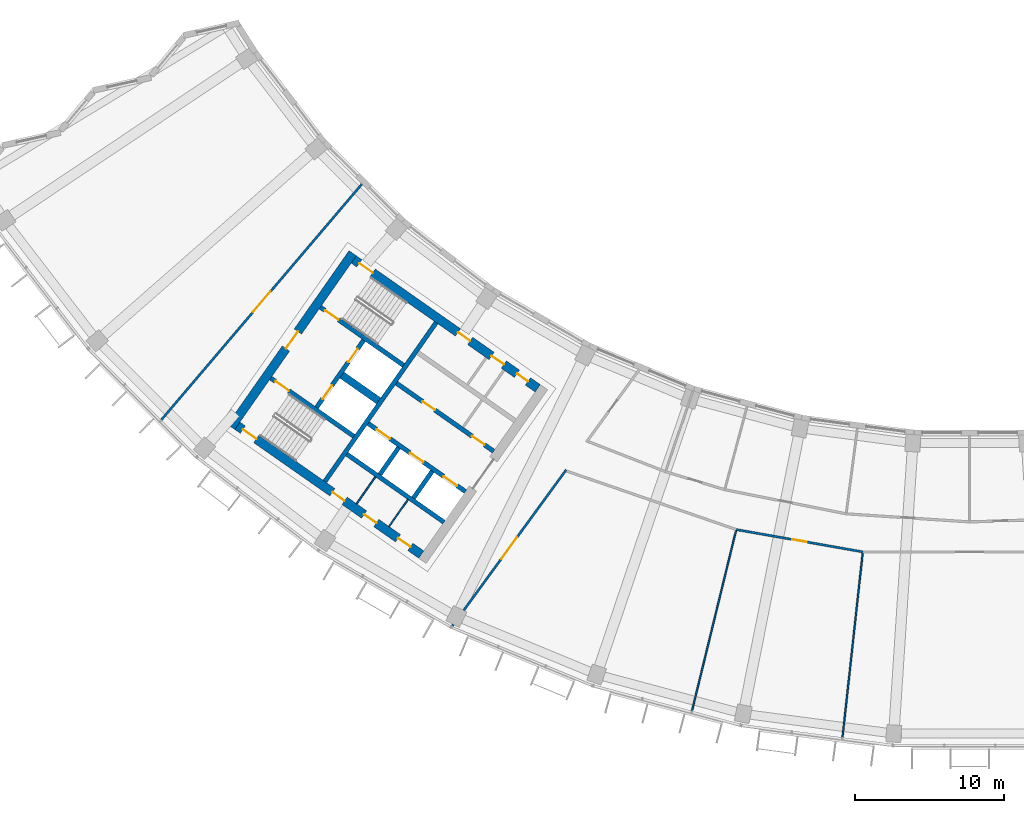
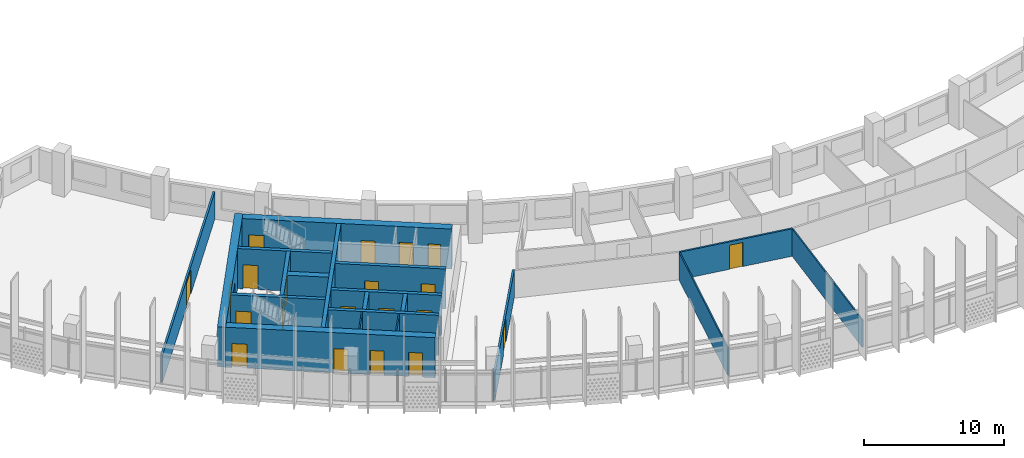
# One storey, part 3 of 28: 21 doors, 20 walls, 21 openings.
"""IFC4 building model written with IfcOpenShell, lengths in metres."""

from ifc_helpers import new_model, si_unit, direction, frame, frame_2d, origin, place, context, subcontext, project, spatial, rectangle, extrude, material, layer, layer_set, type_object, element, fill, save


model = new_model("IFC4")

# Units and contexts
model_context = context("Model", 3, precision=1e-05, world=origin(), true_north=direction((0.0, 1.0)))
body_context = subcontext(model_context, "Body", "Model", "MODEL_VIEW")
ifc_project = project(units=[si_unit("LENGTHUNIT", "METRE"), si_unit("AREAUNIT", "SQUARE_METRE"), si_unit("VOLUMEUNIT", "CUBIC_METRE"), si_unit("PLANEANGLEUNIT", "RADIAN"), si_unit("MASSUNIT", "GRAM", prefix="KILO")], contexts=[model_context])

# Site, building, storey
site_placement = place(None, origin())
site = spatial("IfcSite", under=ifc_project, at=site_placement, CompositionType="ELEMENT")
building_placement = place(site_placement, origin())
building = spatial("IfcBuilding", under=site, at=building_placement, Name="Qamariyya Broadcast Tower", CompositionType="ELEMENT")
storey_placement = place(building_placement, frame((0.0, 0.0, 241.699951171875)))
storey = spatial("IfcBuildingStorey", under=building, at=storey_placement, Name="L58", CompositionType="ELEMENT", Elevation=241.699951171875)

# Wall, opening, door
ifc_material_1 = material(Name="Concrete C60/75", Category="concrete")
ifc_layer_1 = layer(ifc_material_1, 0.60009765625)
ifc_layer_set_1 = layer_set([ifc_layer_1], Name="Core wall 600 mm Concrete C60/75")
wall_type_1 = type_object("IfcWallType", Name="Core wall 600 mm Concrete C60/75", PredefinedType="SHEAR", material=ifc_layer_set_1)
wall_1_placement = place(storey_placement, frame((-49.4833984375, -57.031494140625, 0.0), z_axis=(0.0, 0.0, 1.0), x_axis=(0.573560421458, 0.819163257805, 0.0)))
wall_1 = element("IfcWall", 1, at=wall_1_placement, inside=storey, type_object=wall_type_1, Name="k-W-L58-WH", PredefinedType="SHEAR", context=body_context, shape_type="SweptSolid", body=[
    extrude(rectangle(XDim=14.199951171875, YDim=0.60009765625, at=frame_2d((7.10009765625, 0.0))), origin(), (0.0, 0.0, 1.0), 3.5),
])
opening_1_placement = place(wall_1_placement, frame((6.39990234375, 0.0, 0.0)))
opening_1 = element("IfcOpeningElement", 2, at=opening_1_placement, cuts=wall_1, Name="Opening KD2-W1", PredefinedType="OPENING", context=body_context, shape_type="SweptSolid", body=[
    extrude(rectangle(XDim=1.39990234375, YDim=2.10009765625, at=frame_2d((0.699951171875, 1.050048828125))), frame((0.0, 0.31005859375, 0.0), z_axis=(0.0, -1.0, 0.0), x_axis=(1.0, 0.0, 0.0)), (0.0, 0.0, 1.0), 0.6201171875),
])
ifc_material_2 = material(Name="Steel fire-resisting door leaf", Category="steel")
door_type_1 = type_object("IfcDoorType", Name="Fire-fighting lobby door KD2", OperationType="DOUBLE_DOOR_SINGLE_SWING", PredefinedType="DOOR", material=ifc_material_2)
door_1_placement = place(opening_1_placement, origin())
door_1 = element("IfcDoor", 3, at=door_1_placement, inside=storey, type_object=door_type_1, Name="k-W-L58-WH-D15", OperationType="DOUBLE_DOOR_SINGLE_SWING", OverallHeight=2.10009765625, OverallWidth=1.39990234375, PredefinedType="DOOR", context=body_context, shape_type="SweptSolid", body=[
    extrude(rectangle(XDim=1.39990234375, YDim=2.10009765625, at=frame_2d((0.699951171875, 1.050048828125))), frame((0.0, 0.02490234375, 0.0), z_axis=(0.0, -1.0, 0.0), x_axis=(1.0, 0.0, 0.0)), (0.0, 0.0, 1.0), 0.050048828125),
])
fill(opening_1, door_1)

# Wall, openings, doors
wall_2_placement = place(storey_placement, frame((-28.940673828125, -54.447021484375, 0.0), z_axis=(0.0, 0.0, 1.0), x_axis=(-0.819153391756, 0.573574511963, 0.0)))
wall_2 = element("IfcWall", 4, at=wall_2_placement, inside=storey, type_object=wall_type_1, Name="k-W-L58-WI", PredefinedType="SHEAR", context=body_context, shape_type="SweptSolid", body=[
    extrude(rectangle(XDim=15.04541015625, YDim=0.60009765625, at=frame_2d((7.522705078125, 0.0))), origin(), (0.0, 0.0, 1.0), 3.5),
])
opening_2_placement = place(wall_2_placement, frame((0.800048828125, 0.0, 0.0)))
opening_2 = element("IfcOpeningElement", 5, at=opening_2_placement, cuts=wall_2, Name="Opening KD5-W1", PredefinedType="OPENING", context=body_context, shape_type="SweptSolid", body=[
    extrude(rectangle(XDim=0.89990234375, YDim=2.10009765625, at=frame_2d((0.449951171875, 1.050048828125))), frame((0.0, 0.31005859375, 0.0), z_axis=(0.0, -1.0, 0.0), x_axis=(1.0, 0.0, 0.0)), (0.0, 0.0, 1.0), 0.6201171875),
])
opening_3_placement = place(wall_2_placement, frame((2.77490234375, 0.0, 0.0)))
opening_3 = element("IfcOpeningElement", 6, at=opening_3_placement, cuts=wall_2, Name="Opening KD7-W1", PredefinedType="OPENING", context=body_context, shape_type="SweptSolid", body=[
    extrude(rectangle(XDim=1.0, YDim=2.10009765625, at=frame_2d((0.5, 1.050048828125))), frame((0.0, 0.31005859375, 0.0), z_axis=(0.0, -1.0, 0.0), x_axis=(1.0, 0.0, 0.0)), (0.0, 0.0, 1.0), 0.6201171875),
])
opening_4_placement = place(wall_2_placement, frame((5.52490234375, 0.0, 0.0)))
opening_4 = element("IfcOpeningElement", 7, at=opening_4_placement, cuts=wall_2, Name="Opening KD6-W3", PredefinedType="OPENING", context=body_context, shape_type="SweptSolid", body=[
    extrude(rectangle(XDim=1.0, YDim=2.10009765625, at=frame_2d((0.5, 1.050048828125))), frame((0.0, 0.31005859375, 0.0), z_axis=(0.0, -1.0, 0.0), x_axis=(1.0, 0.0, 0.0)), (0.0, 0.0, 1.0), 0.6201171875),
])
opening_5_placement = place(wall_2_placement, frame((13.495361328125, 0.0, 0.0)))
opening_5 = element("IfcOpeningElement", 8, at=opening_5_placement, cuts=wall_2, Name="Opening KD1-W1", PredefinedType="OPENING", context=body_context, shape_type="SweptSolid", body=[
    extrude(rectangle(XDim=1.10009765625, YDim=2.10009765625, at=frame_2d((0.550048828125, 1.050048828125))), frame((0.0, 0.31005859375, 0.0), z_axis=(0.0, -1.0, 0.0), x_axis=(1.0, 0.0, 0.0)), (0.0, 0.0, 1.0), 0.6201171875),
])
door_type_2 = type_object("IfcDoorType", Name="Accessible toilet door KD7", OperationType="SINGLE_SWING_LEFT", PredefinedType="DOOR", material=ifc_material_2)
door_2_placement = place(opening_3_placement, origin())
door_2 = element("IfcDoor", 9, at=door_2_placement, inside=storey, type_object=door_type_2, Name="k-W-L58-WI-D8", OperationType="SINGLE_SWING_LEFT", OverallHeight=2.10009765625, OverallWidth=1.0, PredefinedType="DOOR", context=body_context, shape_type="SweptSolid", body=[
    extrude(rectangle(XDim=1.0, YDim=2.10009765625, at=frame_2d((0.5, 1.050048828125))), frame((0.0, 0.02490234375, 0.0), z_axis=(0.0, -1.0, 0.0), x_axis=(1.0, 0.0, 0.0)), (0.0, 0.0, 1.0), 0.050048828125),
])
fill(opening_3, door_2)
door_type_3 = type_object("IfcDoorType", Name="Core room door KD6", OperationType="SINGLE_SWING_LEFT", PredefinedType="DOOR", material=ifc_material_2)
door_3_placement = place(opening_4_placement, origin())
door_3 = element("IfcDoor", 10, at=door_3_placement, inside=storey, type_object=door_type_3, Name="k-W-L58-WI-D9", OperationType="SINGLE_SWING_RIGHT", OverallHeight=2.10009765625, OverallWidth=1.0, PredefinedType="DOOR", context=body_context, shape_type="SweptSolid", body=[
    extrude(rectangle(XDim=1.0, YDim=2.10009765625, at=frame_2d((0.5, 1.050048828125))), frame((0.0, 0.02490234375, 0.0), z_axis=(0.0, -1.0, 0.0), x_axis=(1.0, 0.0, 0.0)), (0.0, 0.0, 1.0), 0.050048828125),
])
fill(opening_4, door_3)
door_type_4 = type_object("IfcDoorType", Name="Stair door KD1", OperationType="SINGLE_SWING_LEFT", PredefinedType="DOOR", material=ifc_material_2)
door_4_placement = place(opening_5_placement, origin())
door_4 = element("IfcDoor", 11, at=door_4_placement, inside=storey, type_object=door_type_4, Name="k-W-L58-WI-D16", OperationType="SINGLE_SWING_RIGHT", OverallHeight=2.10009765625, OverallWidth=1.10009765625, PredefinedType="DOOR", context=body_context, shape_type="SweptSolid", body=[
    extrude(rectangle(XDim=1.10009765625, YDim=2.10009765625, at=frame_2d((0.550048828125, 1.050048828125))), frame((0.0, 0.02490234375, 0.0), z_axis=(0.0, -1.0, 0.0), x_axis=(1.0, 0.0, 0.0)), (0.0, 0.0, 1.0), 0.050048828125),
])
fill(opening_5, door_4)
door_type_5 = type_object("IfcDoorType", Name="Toilet door KD5", OperationType="SINGLE_SWING_LEFT", PredefinedType="DOOR", material=ifc_material_2)
door_5_placement = place(opening_2_placement, origin())
door_5 = element("IfcDoor", 12, at=door_5_placement, inside=storey, type_object=door_type_5, Name="k-W-L58-WI-D7", OperationType="SINGLE_SWING_RIGHT", OverallHeight=2.10009765625, OverallWidth=0.89990234375, PredefinedType="DOOR", context=body_context, shape_type="SweptSolid", body=[
    extrude(rectangle(XDim=0.89990234375, YDim=2.10009765625, at=frame_2d((0.449951171875, 1.050048828125))), frame((0.0, 0.02490234375, 0.0), z_axis=(0.0, -1.0, 0.0), x_axis=(1.0, 0.0, 0.0)), (0.0, 0.0, 1.0), 0.050048828125),
])
fill(opening_2, door_5)

wall_3_placement = place(storey_placement, frame((-36.7412109375, -65.58740234375, 0.0), z_axis=(0.0, 0.0, 1.0), x_axis=(-0.819153391756, 0.573574511963, 0.0)))
wall_3 = element("IfcWall", 13, at=wall_3_placement, inside=storey, type_object=wall_type_1, Name="k-W-L58-WO", PredefinedType="SHEAR", context=body_context, shape_type="SweptSolid", body=[
    extrude(rectangle(XDim=15.04541015625, YDim=0.60009765625, at=frame_2d((7.522705078125, 0.0))), origin(), (0.0, 0.0, 1.0), 3.5),
])
opening_6_placement = place(wall_3_placement, frame((0.89990234375, 0.0, 0.0)))
opening_6 = element("IfcOpeningElement", 14, at=opening_6_placement, cuts=wall_3, Name="Opening KD4-W1", PredefinedType="OPENING", context=body_context, shape_type="SweptSolid", body=[
    extrude(rectangle(XDim=1.0, YDim=2.10009765625, at=frame_2d((0.5, 1.050048828125))), frame((0.0, 0.31005859375, 0.0), z_axis=(0.0, -1.0, 0.0), x_axis=(1.0, 0.0, 0.0)), (0.0, 0.0, 1.0), 0.6201171875),
])
opening_7_placement = place(wall_3_placement, frame((3.675048828125, 0.0, 0.0)))
opening_7 = element("IfcOpeningElement", 15, at=opening_7_placement, cuts=wall_3, Name="Opening KD4-W2", PredefinedType="OPENING", context=body_context, shape_type="SweptSolid", body=[
    extrude(rectangle(XDim=1.0, YDim=2.10009765625, at=frame_2d((0.5, 1.050048828125))), frame((0.0, 0.31005859375, 0.0), z_axis=(0.0, -1.0, 0.0), x_axis=(1.0, 0.0, 0.0)), (0.0, 0.0, 1.0), 0.6201171875),
])
opening_8_placement = place(wall_3_placement, frame((6.27490234375, 0.0, 0.0)))
opening_8 = element("IfcOpeningElement", 16, at=opening_8_placement, cuts=wall_3, Name="Opening KD4-W3", PredefinedType="OPENING", context=body_context, shape_type="SweptSolid", body=[
    extrude(rectangle(XDim=1.0, YDim=2.10009765625, at=frame_2d((0.5, 1.050048828125))), frame((0.0, 0.31005859375, 0.0), z_axis=(0.0, -1.0, 0.0), x_axis=(1.0, 0.0, 0.0)), (0.0, 0.0, 1.0), 0.6201171875),
])
opening_9_placement = place(wall_3_placement, frame((13.495361328125, 0.0, 0.0)))
opening_9 = element("IfcOpeningElement", 17, at=opening_9_placement, cuts=wall_3, Name="Opening KD1-W3", PredefinedType="OPENING", context=body_context, shape_type="SweptSolid", body=[
    extrude(rectangle(XDim=1.10009765625, YDim=2.10009765625, at=frame_2d((0.550048828125, 1.050048828125))), frame((0.0, 0.31005859375, 0.0), z_axis=(0.0, -1.0, 0.0), x_axis=(1.0, 0.0, 0.0)), (0.0, 0.0, 1.0), 0.6201171875),
])
door_type_6 = type_object("IfcDoorType", Name="Riser and plant door KD4", OperationType="SINGLE_SWING_LEFT", PredefinedType="DOOR", material=ifc_material_2)
door_6_placement = place(opening_6_placement, origin())
door_6 = element("IfcDoor", 18, at=door_6_placement, inside=storey, type_object=door_type_6, Name="k-W-L58-WO-D10", OperationType="SINGLE_SWING_LEFT", OverallHeight=2.10009765625, OverallWidth=1.0, PredefinedType="DOOR", context=body_context, shape_type="SweptSolid", body=[
    extrude(rectangle(XDim=1.0, YDim=2.10009765625, at=frame_2d((0.5, 1.050048828125))), frame((0.0, 0.02490234375, 0.0), z_axis=(0.0, -1.0, 0.0), x_axis=(1.0, 0.0, 0.0)), (0.0, 0.0, 1.0), 0.050048828125),
])
fill(opening_6, door_6)
door_7_placement = place(opening_7_placement, origin())
door_7 = element("IfcDoor", 19, at=door_7_placement, inside=storey, type_object=door_type_6, Name="k-W-L58-WO-D11", OperationType="SINGLE_SWING_RIGHT", OverallHeight=2.10009765625, OverallWidth=1.0, PredefinedType="DOOR", context=body_context, shape_type="SweptSolid", body=[
    extrude(rectangle(XDim=1.0, YDim=2.10009765625, at=frame_2d((0.5, 1.050048828125))), frame((0.0, 0.02490234375, 0.0), z_axis=(0.0, -1.0, 0.0), x_axis=(1.0, 0.0, 0.0)), (0.0, 0.0, 1.0), 0.050048828125),
])
fill(opening_7, door_7)
door_8_placement = place(opening_8_placement, origin())
door_8 = element("IfcDoor", 20, at=door_8_placement, inside=storey, type_object=door_type_6, Name="k-W-L58-WO-D12", OperationType="SINGLE_SWING_LEFT", OverallHeight=2.10009765625, OverallWidth=1.0, PredefinedType="DOOR", context=body_context, shape_type="SweptSolid", body=[
    extrude(rectangle(XDim=1.0, YDim=2.10009765625, at=frame_2d((0.5, 1.050048828125))), frame((0.0, 0.02490234375, 0.0), z_axis=(0.0, -1.0, 0.0), x_axis=(1.0, 0.0, 0.0)), (0.0, 0.0, 1.0), 0.050048828125),
])
fill(opening_8, door_8)
door_9_placement = place(opening_9_placement, origin())
door_9 = element("IfcDoor", 21, at=door_9_placement, inside=storey, type_object=door_type_4, Name="k-W-L58-WO-D18", OperationType="SINGLE_SWING_LEFT", OverallHeight=2.10009765625, OverallWidth=1.10009765625, PredefinedType="DOOR", context=body_context, shape_type="SweptSolid", body=[
    extrude(rectangle(XDim=1.10009765625, YDim=2.10009765625, at=frame_2d((0.550048828125, 1.050048828125))), frame((0.0, 0.02490234375, 0.0), z_axis=(0.0, -1.0, 0.0), x_axis=(1.0, 0.0, 0.0)), (0.0, 0.0, 1.0), 0.050048828125),
])
fill(opening_9, door_9)

# Wall, opening, door
ifc_material_3 = material(Name="Gypsum board partition")
ifc_layer_2 = layer(ifc_material_3, 0.14990234375)
ifc_layer_set_2 = layer_set([ifc_layer_2], Name="Corridor partition 150 EI 60")
wall_type_2 = type_object("IfcWallType", Name="Corridor partition 150 EI 60", PredefinedType="PARTITIONING", material=ifc_layer_set_2)
wall_4_placement = place(storey_placement, frame((-54.15283203125, -56.554931640625, 0.0), z_axis=(0.0, 0.0, 1.0), x_axis=(0.647962636986, 0.761672121762, 0.0)))
wall_4 = element("IfcWall", 22, at=wall_4_placement, inside=storey, type_object=wall_type_2, Name="Partition L58-001", PredefinedType="PARTITIONING", context=body_context, shape_type="SweptSolid", body=[
    extrude(rectangle(XDim=20.723388671875, YDim=0.14990234375, at=frame_2d((10.36181640625, 0.0))), origin(), (0.0, 0.0, 1.0), 2.400146484375),
])
opening_10_placement = place(wall_4_placement, frame((9.461669921875, 0.0, 0.0)))
opening_10 = element("IfcOpeningElement", 23, at=opening_10_placement, cuts=wall_4, Name="Opening L58-D14", PredefinedType="OPENING", context=body_context, shape_type="SweptSolid", body=[
    extrude(rectangle(XDim=1.800048828125, YDim=2.10009765625, at=frame_2d((0.89990234375, 1.050048828125))), frame((0.0, 0.0849609375, 0.0), z_axis=(0.0, -1.0, 0.0), x_axis=(1.0, 0.0, 0.0)), (0.0, 0.0, 1.0), 0.169921875),
])
ifc_material_4 = material(Name="Timber fire door leaf", Category="wood")
door_type_7 = type_object("IfcDoorType", Name="Double fire door 1800 x 2100 FD60", OperationType="NOTDEFINED", PredefinedType="DOOR", material=ifc_material_4)
door_10_placement = place(opening_10_placement, origin())
door_10 = element("IfcDoor", 24, at=door_10_placement, inside=storey, type_object=door_type_7, Name="Door L58-D14", OperationType="DOUBLE_DOOR_SINGLE_SWING", OverallHeight=2.10009765625, OverallWidth=1.800048828125, PredefinedType="DOOR", context=body_context, shape_type="SweptSolid", body=[
    extrude(rectangle(XDim=1.800048828125, YDim=2.10009765625, at=frame_2d((0.89990234375, 1.050048828125))), frame((0.0, 0.02490234375, 0.0), z_axis=(0.0, -1.0, 0.0), x_axis=(1.0, 0.0, 0.0)), (0.0, 0.0, 1.0), 0.050048828125),
])
fill(opening_10, door_10)

wall_5_placement = place(storey_placement, frame((-27.033447265625, -59.90966796875, 0.0), z_axis=(0.0, 0.0, 1.0), x_axis=(-0.589273648147, -0.807933516819, 0.0)))
wall_5 = element("IfcWall", 25, at=wall_5_placement, inside=storey, type_object=wall_type_2, Name="Partition L58-002", PredefinedType="PARTITIONING", context=body_context, shape_type="SweptSolid", body=[
    extrude(rectangle(XDim=12.956298828125, YDim=0.14990234375, at=frame_2d((6.47802734375, 0.0))), origin(), (0.0, 0.0, 1.0), 2.400146484375),
])
opening_11_placement = place(wall_5_placement, frame((5.578125, 0.0, 0.0)))
opening_11 = element("IfcOpeningElement", 26, at=opening_11_placement, cuts=wall_5, Name="Opening L58-D01", PredefinedType="OPENING", context=body_context, shape_type="SweptSolid", body=[
    extrude(rectangle(XDim=1.800048828125, YDim=2.10009765625, at=frame_2d((0.89990234375, 1.050048828125))), frame((0.0, 0.0849609375, 0.0), z_axis=(0.0, -1.0, 0.0), x_axis=(1.0, 0.0, 0.0)), (0.0, 0.0, 1.0), 0.169921875),
])
door_11_placement = place(opening_11_placement, origin())
door_11 = element("IfcDoor", 27, at=door_11_placement, inside=storey, type_object=door_type_7, Name="Door L58-D01", OperationType="DOUBLE_DOOR_SINGLE_SWING", OverallHeight=2.10009765625, OverallWidth=1.800048828125, PredefinedType="DOOR", context=body_context, shape_type="SweptSolid", body=[
    extrude(rectangle(XDim=1.800048828125, YDim=2.10009765625, at=frame_2d((0.89990234375, 1.050048828125))), frame((0.0, 0.02490234375, 0.0), z_axis=(0.0, -1.0, 0.0), x_axis=(1.0, 0.0, 0.0)), (0.0, 0.0, 1.0), 0.050048828125),
])
fill(opening_11, door_11)

wall_6_placement = place(storey_placement, frame((-7.16162109375, -65.4091796875, 0.0), z_axis=(0.0, 0.0, 1.0), x_axis=(-0.984812101115, 0.173623516545, 0.0)))
wall_6 = element("IfcWall", 28, at=wall_6_placement, inside=storey, type_object=wall_type_2, Name="Partition L58-010", PredefinedType="PARTITIONING", context=body_context, shape_type="SweptSolid", body=[
    extrude(rectangle(XDim=8.60693359375, YDim=0.14990234375, at=frame_2d((4.303466796875, 0.0))), origin(), (0.0, 0.0, 1.0), 2.400146484375),
])
opening_12_placement = place(wall_6_placement, frame((3.803466796875, 0.0, 0.0)))
opening_12 = element("IfcOpeningElement", 29, at=opening_12_placement, cuts=wall_6, Name="Opening L58-D02", PredefinedType="OPENING", context=body_context, shape_type="SweptSolid", body=[
    extrude(rectangle(XDim=1.0, YDim=2.10009765625, at=frame_2d((0.5, 1.050048828125))), frame((0.0, 0.0849609375, 0.0), z_axis=(0.0, -1.0, 0.0), x_axis=(1.0, 0.0, 0.0)), (0.0, 0.0, 1.0), 0.169921875),
])
door_type_8 = type_object("IfcDoorType", Name="Fire door 1000 x 2100 FD60", OperationType="NOTDEFINED", PredefinedType="DOOR", material=ifc_material_4)
door_12_placement = place(opening_12_placement, origin())
door_12 = element("IfcDoor", 30, at=door_12_placement, inside=storey, type_object=door_type_8, Name="Door L58-D02", OperationType="SINGLE_SWING_RIGHT", OverallHeight=2.10009765625, OverallWidth=1.0, PredefinedType="DOOR", context=body_context, shape_type="SweptSolid", body=[
    extrude(rectangle(XDim=1.0, YDim=2.10009765625, at=frame_2d((0.5, 1.050048828125))), frame((0.0, 0.02490234375, 0.0), z_axis=(0.0, -1.0, 0.0), x_axis=(1.0, 0.0, 0.0)), (0.0, 0.0, 1.0), 0.050048828125),
])
fill(opening_12, door_12)

# Walls
ifc_layer_3 = layer(ifc_material_1, 0.5)
ifc_layer_set_3 = layer_set([ifc_layer_3], Name="Fire-fighting lobby divider wall 500 mm Concrete C60/75")
wall_type_3 = type_object("IfcWallType", Name="Fire-fighting lobby divider wall 500 mm Concrete C60/75", PredefinedType="SOLIDWALL", material=ifc_layer_set_3)
wall_7_placement = place(storey_placement, frame((-39.59912109375, -55.28515625, 0.0), z_axis=(0.0, 0.0, 1.0), x_axis=(-0.819136323161, 0.573598887793, 0.0)))
element("IfcWall", 31, at=wall_7_placement, inside=storey, type_object=wall_type_3, Name="k-W-L58-FD", PredefinedType="SOLIDWALL", context=body_context, shape_type="SweptSolid", body=[
    extrude(rectangle(XDim=2.999755859375, YDim=0.5, at=frame_2d((1.5, 0.0))), origin(), (0.0, 0.0, 1.0), 3.5),
])
ifc_layer_4 = layer(ifc_material_1, 0.300048828125)
ifc_layer_set_4 = layer_set([ifc_layer_4], Name="Lift shaft wall 300 mm Concrete C60/75")
wall_type_4 = type_object("IfcWallType", Name="Lift shaft wall 300 mm Concrete C60/75", PredefinedType="SOLIDWALL", material=ifc_layer_set_4)
wall_8_placement = place(storey_placement, frame((-43.204345703125, -60.69580078125, 0.0), z_axis=(0.0, 0.0, 1.0), x_axis=(0.573571992966, 0.819155155563, 0.0)))
element("IfcWall", 32, at=wall_8_placement, inside=storey, type_object=wall_type_4, Name="k-W-L58-WL", PredefinedType="SOLIDWALL", context=body_context, shape_type="SweptSolid", body=[
    extrude(rectangle(XDim=13.000244140625, YDim=0.300048828125, at=frame_2d((6.5, 0.0))), origin(), (0.0, 0.0, 1.0), 3.5),
])

# Wall, openings, doors
wall_9_placement = place(storey_placement, frame((-31.89453125, -58.66552734375, 0.0), z_axis=(0.0, 0.0, 1.0), x_axis=(-0.819166993208, 0.573555086491, 0.0)))
wall_9 = element("IfcWall", 33, at=wall_9_placement, inside=storey, type_object=wall_type_4, Name="k-W-L58-NF0", PredefinedType="SOLIDWALL", context=body_context, shape_type="SweptSolid", body=[
    extrude(rectangle(XDim=7.9501953125, YDim=0.300048828125, at=frame_2d((3.97509765625, 0.0))), origin(), (0.0, 0.0, 1.0), 3.5),
])
opening_13_placement = place(wall_9_placement, frame((0.762451171875, 0.0, 0.0)))
opening_13 = element("IfcOpeningElement", 34, at=opening_13_placement, cuts=wall_9, Name="Opening KD6-W1", PredefinedType="OPENING", context=body_context, shape_type="SweptSolid", body=[
    extrude(rectangle(XDim=1.0, YDim=2.10009765625, at=frame_2d((0.5, 1.050048828125))), frame((0.0, 0.159912109375, 0.0), z_axis=(0.0, -1.0, 0.0), x_axis=(1.0, 0.0, 0.0)), (0.0, 0.0, 1.0), 0.320068359375),
])
opening_14_placement = place(wall_9_placement, frame((4.8125, 0.0, 0.0)))
opening_14 = element("IfcOpeningElement", 35, at=opening_14_placement, cuts=wall_9, Name="Opening KD6-W2", PredefinedType="OPENING", context=body_context, shape_type="SweptSolid", body=[
    extrude(rectangle(XDim=1.0, YDim=2.10009765625, at=frame_2d((0.5, 1.050048828125))), frame((0.0, 0.159912109375, 0.0), z_axis=(0.0, -1.0, 0.0), x_axis=(1.0, 0.0, 0.0)), (0.0, 0.0, 1.0), 0.320068359375),
])
door_13_placement = place(opening_13_placement, origin())
door_13 = element("IfcDoor", 36, at=door_13_placement, inside=storey, type_object=door_type_3, Name="k-W-L58-NF0-D2", OperationType="SINGLE_SWING_LEFT", OverallHeight=2.10009765625, OverallWidth=1.0, PredefinedType="DOOR", context=body_context, shape_type="SweptSolid", body=[
    extrude(rectangle(XDim=1.0, YDim=2.10009765625, at=frame_2d((0.5, 1.050048828125))), frame((0.0, 0.02490234375, 0.0), z_axis=(0.0, -1.0, 0.0), x_axis=(1.0, 0.0, 0.0)), (0.0, 0.0, 1.0), 0.050048828125),
])
fill(opening_13, door_13)
door_14_placement = place(opening_14_placement, origin())
door_14 = element("IfcDoor", 37, at=door_14_placement, inside=storey, type_object=door_type_3, Name="k-W-L58-NF0-D3", OperationType="SINGLE_SWING_RIGHT", OverallHeight=2.10009765625, OverallWidth=1.0, PredefinedType="DOOR", context=body_context, shape_type="SweptSolid", body=[
    extrude(rectangle(XDim=1.0, YDim=2.10009765625, at=frame_2d((0.5, 1.050048828125))), frame((0.0, 0.02490234375, 0.0), z_axis=(0.0, -1.0, 0.0), x_axis=(1.0, 0.0, 0.0)), (0.0, 0.0, 1.0), 0.050048828125),
])
fill(opening_14, door_14)

wall_10_placement = place(storey_placement, frame((-33.787353515625, -61.368896484375, 0.0), z_axis=(0.0, 0.0, 1.0), x_axis=(-0.819152564888, 0.573575692858, 0.0)))
wall_10 = element("IfcWall", 38, at=wall_10_placement, inside=storey, type_object=wall_type_4, Name="k-W-L58-SF0", PredefinedType="SOLIDWALL", context=body_context, shape_type="SweptSolid", body=[
    extrude(rectangle(XDim=7.9501953125, YDim=0.300048828125, at=frame_2d((3.97509765625, 0.0))), origin(), (0.0, 0.0, 1.0), 3.5),
])
opening_15_placement = place(wall_10_placement, frame((0.675048828125, 0.0, 0.0)))
opening_15 = element("IfcOpeningElement", 39, at=opening_15_placement, cuts=wall_10, Name="Opening LD", PredefinedType="OPENING", context=body_context, shape_type="SweptSolid", body=[
    extrude(rectangle(XDim=1.10009765625, YDim=2.10009765625, at=frame_2d((0.550048828125, 1.050048828125))), frame((0.0, 0.159912109375, 0.0), z_axis=(0.0, -1.0, 0.0), x_axis=(1.0, 0.0, 0.0)), (0.0, 0.0, 1.0), 0.320068359375),
])
opening_16_placement = place(wall_10_placement, frame((3.425048828125, 0.0, 0.0)))
opening_16 = element("IfcOpeningElement", 40, at=opening_16_placement, cuts=wall_10, Name="Opening LD", PredefinedType="OPENING", context=body_context, shape_type="SweptSolid", body=[
    extrude(rectangle(XDim=1.10009765625, YDim=2.10009765625, at=frame_2d((0.550048828125, 1.050048828125))), frame((0.0, 0.159912109375, 0.0), z_axis=(0.0, -1.0, 0.0), x_axis=(1.0, 0.0, 0.0)), (0.0, 0.0, 1.0), 0.320068359375),
])
opening_17_placement = place(wall_10_placement, frame((6.175048828125, 0.0, 0.0)))
opening_17 = element("IfcOpeningElement", 41, at=opening_17_placement, cuts=wall_10, Name="Opening LD", PredefinedType="OPENING", context=body_context, shape_type="SweptSolid", body=[
    extrude(rectangle(XDim=1.10009765625, YDim=2.10009765625, at=frame_2d((0.550048828125, 1.050048828125))), frame((0.0, 0.159912109375, 0.0), z_axis=(0.0, -1.0, 0.0), x_axis=(1.0, 0.0, 0.0)), (0.0, 0.0, 1.0), 0.320068359375),
])
door_type_9 = type_object("IfcDoorType", Name="Lift landing door LD", OperationType="DOUBLE_DOOR_SLIDING", PredefinedType="DOOR", material=ifc_material_2)
door_15_placement = place(opening_15_placement, origin())
door_15 = element("IfcDoor", 42, at=door_15_placement, inside=storey, type_object=door_type_9, Name="k-W-L58-SF0-D4", OperationType="DOUBLE_DOOR_SLIDING", OverallHeight=2.10009765625, OverallWidth=1.10009765625, PredefinedType="DOOR", context=body_context, shape_type="SweptSolid", body=[
    extrude(rectangle(XDim=1.10009765625, YDim=2.10009765625, at=frame_2d((0.550048828125, 1.050048828125))), frame((0.0, 0.02490234375, 0.0), z_axis=(0.0, -1.0, 0.0), x_axis=(1.0, 0.0, 0.0)), (0.0, 0.0, 1.0), 0.050048828125),
])
fill(opening_15, door_15)
door_16_placement = place(opening_16_placement, origin())
door_16 = element("IfcDoor", 43, at=door_16_placement, inside=storey, type_object=door_type_9, Name="k-W-L58-SF0-D5", OperationType="DOUBLE_DOOR_SLIDING", OverallHeight=2.10009765625, OverallWidth=1.10009765625, PredefinedType="DOOR", context=body_context, shape_type="SweptSolid", body=[
    extrude(rectangle(XDim=1.10009765625, YDim=2.10009765625, at=frame_2d((0.550048828125, 1.050048828125))), frame((0.0, 0.02490234375, 0.0), z_axis=(0.0, -1.0, 0.0), x_axis=(1.0, 0.0, 0.0)), (0.0, 0.0, 1.0), 0.050048828125),
])
fill(opening_16, door_16)
door_17_placement = place(opening_17_placement, origin())
door_17 = element("IfcDoor", 44, at=door_17_placement, inside=storey, type_object=door_type_9, Name="k-W-L58-SF0-D6", OperationType="DOUBLE_DOOR_SLIDING", OverallHeight=2.10009765625, OverallWidth=1.10009765625, PredefinedType="DOOR", context=body_context, shape_type="SweptSolid", body=[
    extrude(rectangle(XDim=1.10009765625, YDim=2.10009765625, at=frame_2d((0.550048828125, 1.050048828125))), frame((0.0, 0.02490234375, 0.0), z_axis=(0.0, -1.0, 0.0), x_axis=(1.0, 0.0, 0.0)), (0.0, 0.0, 1.0), 0.050048828125),
])
fill(opening_17, door_17)

# Walls
wall_11_placement = place(storey_placement, frame((-35.22119140625, -63.41650390625, 0.0), z_axis=(0.0, 0.0, 1.0), x_axis=(-0.819166993208, 0.573555086491, 0.0)))
element("IfcWall", 45, at=wall_11_placement, inside=storey, type_object=wall_type_4, Name="k-W-L58-SB0", PredefinedType="SOLIDWALL", context=body_context, shape_type="SweptSolid", body=[
    extrude(rectangle(XDim=7.9501953125, YDim=0.300048828125, at=frame_2d((3.97509765625, 0.0))), origin(), (0.0, 0.0, 1.0), 3.5),
])
wall_12_placement = place(storey_placement, frame((-36.003173828125, -60.000244140625, 0.0), z_axis=(0.0, 0.0, 1.0), x_axis=(-0.573581496053, -0.819148501424, 0.0)))
element("IfcWall", 46, at=wall_12_placement, inside=storey, type_object=wall_type_4, Name="k-W-L58-SD0", PredefinedType="SOLIDWALL", context=body_context, shape_type="SweptSolid", body=[
    extrude(rectangle(XDim=2.2001953125, YDim=0.300048828125, at=frame_2d((1.10009765625, 0.0))), origin(), (0.0, 0.0, 1.0), 3.5),
])
wall_13_placement = place(storey_placement, frame((-38.255859375, -58.423095703125, 0.0), z_axis=(0.0, 0.0, 1.0), x_axis=(-0.573633636671, -0.819111989218, 0.0)))
element("IfcWall", 47, at=wall_13_placement, inside=storey, type_object=wall_type_4, Name="k-W-L58-SD1", PredefinedType="SOLIDWALL", context=body_context, shape_type="SweptSolid", body=[
    extrude(rectangle(XDim=2.199951171875, YDim=0.300048828125, at=frame_2d((1.10009765625, 0.0))), origin(), (0.0, 0.0, 1.0), 3.5),
])

# Wall, opening, door
wall_14_placement = place(storey_placement, frame((-37.935546875, -52.90966796875, 0.0), z_axis=(0.0, 0.0, 1.0), x_axis=(-0.819147518138, 0.57358290031, 0.0)))
wall_14 = element("IfcWall", 48, at=wall_14_placement, inside=storey, type_object=wall_type_4, Name="k-W-L58-NW", PredefinedType="SOLIDWALL", context=body_context, shape_type="SweptSolid", body=[
    extrude(rectangle(XDim=6.79541015625, YDim=0.300048828125, at=frame_2d((3.397705078125, 0.0))), origin(), (0.0, 0.0, 1.0), 3.5),
])
opening_18_placement = place(wall_14_placement, frame((5.3203125, 0.0, 0.0)))
opening_18 = element("IfcOpeningElement", 49, at=opening_18_placement, cuts=wall_14, Name="Opening KD1-W2", PredefinedType="OPENING", context=body_context, shape_type="SweptSolid", body=[
    extrude(rectangle(XDim=1.10009765625, YDim=2.10009765625, at=frame_2d((0.550048828125, 1.050048828125))), frame((0.0, 0.159912109375, 0.0), z_axis=(0.0, -1.0, 0.0), x_axis=(1.0, 0.0, 0.0)), (0.0, 0.0, 1.0), 0.320068359375),
])
door_18_placement = place(opening_18_placement, origin())
door_18 = element("IfcDoor", 50, at=door_18_placement, inside=storey, type_object=door_type_4, Name="k-W-L58-NW-D17", OperationType="SINGLE_SWING_RIGHT", OverallHeight=2.10009765625, OverallWidth=1.10009765625, PredefinedType="DOOR", context=body_context, shape_type="SweptSolid", body=[
    extrude(rectangle(XDim=1.10009765625, YDim=2.10009765625, at=frame_2d((0.550048828125, 1.050048828125))), frame((0.0, 0.02490234375, 0.0), z_axis=(0.0, -1.0, 0.0), x_axis=(1.0, 0.0, 0.0)), (0.0, 0.0, 1.0), 0.050048828125),
])
fill(opening_18, door_18)

wall_15_placement = place(storey_placement, frame((-41.262451171875, -57.66064453125, 0.0), z_axis=(0.0, 0.0, 1.0), x_axis=(-0.819164398642, 0.573558792102, 0.0)))
wall_15 = element("IfcWall", 51, at=wall_15_placement, inside=storey, type_object=wall_type_4, Name="k-W-L58-SW", PredefinedType="SOLIDWALL", context=body_context, shape_type="SweptSolid", body=[
    extrude(rectangle(XDim=6.795166015625, YDim=0.300048828125, at=frame_2d((3.3974609375, 0.0))), origin(), (0.0, 0.0, 1.0), 3.5),
])
opening_19_placement = place(wall_15_placement, frame((5.3203125, 0.0, 0.0)))
opening_19 = element("IfcOpeningElement", 52, at=opening_19_placement, cuts=wall_15, Name="Opening KD1-W4", PredefinedType="OPENING", context=body_context, shape_type="SweptSolid", body=[
    extrude(rectangle(XDim=1.10009765625, YDim=2.10009765625, at=frame_2d((0.550048828125, 1.050048828125))), frame((0.0, 0.159912109375, 0.0), z_axis=(0.0, -1.0, 0.0), x_axis=(1.0, 0.0, 0.0)), (0.0, 0.0, 1.0), 0.320068359375),
])
door_19_placement = place(opening_19_placement, origin())
door_19 = element("IfcDoor", 53, at=door_19_placement, inside=storey, type_object=door_type_4, Name="k-W-L58-SW-D19", OperationType="SINGLE_SWING_RIGHT", OverallHeight=2.10009765625, OverallWidth=1.10009765625, PredefinedType="DOOR", context=body_context, shape_type="SweptSolid", body=[
    extrude(rectangle(XDim=1.10009765625, YDim=2.10009765625, at=frame_2d((0.550048828125, 1.050048828125))), frame((0.0, 0.02490234375, 0.0), z_axis=(0.0, -1.0, 0.0), x_axis=(1.0, 0.0, 0.0)), (0.0, 0.0, 1.0), 0.050048828125),
])
fill(opening_19, door_19)

# Wall, openings, doors
wall_16_placement = place(storey_placement, frame((-43.756591796875, -55.731201171875, 0.0), z_axis=(0.0, 0.0, 1.0), x_axis=(0.573536818435, 0.819179783625, 0.0)))
wall_16 = element("IfcWall", 54, at=wall_16_placement, inside=storey, type_object=wall_type_4, Name="k-W-L58-FF", PredefinedType="SOLIDWALL", context=body_context, shape_type="SweptSolid", body=[
    extrude(rectangle(XDim=5.500244140625, YDim=0.300048828125, at=frame_2d((2.75, 0.0))), origin(), (0.0, 0.0, 1.0), 3.5),
])
opening_20_placement = place(wall_16_placement, frame((0.699951171875, 0.0, 0.0)))
opening_20 = element("IfcOpeningElement", 55, at=opening_20_placement, cuts=wall_16, Name="Opening LD", PredefinedType="OPENING", context=body_context, shape_type="SweptSolid", body=[
    extrude(rectangle(XDim=1.10009765625, YDim=2.10009765625, at=frame_2d((0.550048828125, 1.050048828125))), frame((0.0, 0.159912109375, 0.0), z_axis=(0.0, -1.0, 0.0), x_axis=(1.0, 0.0, 0.0)), (0.0, 0.0, 1.0), 0.320068359375),
])
opening_21_placement = place(wall_16_placement, frame((3.699951171875, 0.0, 0.0)))
opening_21 = element("IfcOpeningElement", 56, at=opening_21_placement, cuts=wall_16, Name="Opening LD", PredefinedType="OPENING", context=body_context, shape_type="SweptSolid", body=[
    extrude(rectangle(XDim=1.10009765625, YDim=2.10009765625, at=frame_2d((0.550048828125, 1.050048828125))), frame((0.0, 0.159912109375, 0.0), z_axis=(0.0, -1.0, 0.0), x_axis=(1.0, 0.0, 0.0)), (0.0, 0.0, 1.0), 0.320068359375),
])
door_20_placement = place(opening_20_placement, origin())
door_20 = element("IfcDoor", 57, at=door_20_placement, inside=storey, type_object=door_type_9, Name="k-W-L58-FF-D13", OperationType="DOUBLE_DOOR_SLIDING", OverallHeight=2.10009765625, OverallWidth=1.10009765625, PredefinedType="DOOR", context=body_context, shape_type="SweptSolid", body=[
    extrude(rectangle(XDim=1.10009765625, YDim=2.10009765625, at=frame_2d((0.550048828125, 1.050048828125))), frame((0.0, 0.02490234375, 0.0), z_axis=(0.0, -1.0, 0.0), x_axis=(1.0, 0.0, 0.0)), (0.0, 0.0, 1.0), 0.050048828125),
])
fill(opening_20, door_20)
door_21_placement = place(opening_21_placement, origin())
door_21 = element("IfcDoor", 58, at=door_21_placement, inside=storey, type_object=door_type_9, Name="k-W-L58-FF-D14", OperationType="DOUBLE_DOOR_SLIDING", OverallHeight=2.10009765625, OverallWidth=1.10009765625, PredefinedType="DOOR", context=body_context, shape_type="SweptSolid", body=[
    extrude(rectangle(XDim=1.10009765625, YDim=2.10009765625, at=frame_2d((0.550048828125, 1.050048828125))), frame((0.0, 0.02490234375, 0.0), z_axis=(0.0, -1.0, 0.0), x_axis=(1.0, 0.0, 0.0)), (0.0, 0.0, 1.0), 0.050048828125),
])
fill(opening_21, door_21)

# Walls
ifc_layer_5 = layer(ifc_material_3, 0.10009765625)
ifc_layer_set_5 = layer_set([ifc_layer_5], Name="Partition 100")
wall_type_5 = type_object("IfcWallType", Name="Partition 100", PredefinedType="PARTITIONING", material=ifc_layer_set_5)
for number, where, z_axis, x_axis, name in (
    (59, (-18.60888671875, -76.056884765625, 0.0), (0.0, 0.0, 1.0), (0.237668980718, 0.971346207901, 0.0), "Partition L58-007"),
    (60, (-8.522216796875, -77.835205078125, 0.0), (0.0, 0.0, 1.0), (0.108852796, 0.994057880006, 0.0), "Partition L58-012"),
):
    element("IfcWall", number, at=place(storey_placement, frame(where, z_axis=z_axis, x_axis=x_axis)), inside=storey, type_object=wall_type_5, Name=name, PredefinedType="PARTITIONING", context=body_context, shape_type="SweptSolid", body=[
        extrude(rectangle(XDim=12.42529296875, YDim=0.10009765625, at=frame_2d((6.212646484375, 0.0))), origin(), (0.0, 0.0, 1.0), 2.400146484375),
    ])
ifc_material_5 = material(Name="Fire-rated gypsum shaft liner on steel studs", Category="steel")
ifc_layer_6 = layer(ifc_material_5, 0.10009765625)
ifc_layer_set_6 = layer_set([ifc_layer_6], Name="Riser wall 100 mm")
wall_type_6 = type_object("IfcWallType", Name="Riser wall 100 mm", PredefinedType="PLUMBINGWALL", material=ifc_layer_set_6)
wall_17_placement = place(storey_placement, frame((-37.64208984375, -61.90478515625, 0.0), z_axis=(0.0, 0.0, 1.0), x_axis=(-0.573507030513, -0.819200638399, 0.0)))
element("IfcWall", 61, at=wall_17_placement, inside=storey, type_object=wall_type_6, Name="k-W-L58-SP285", PredefinedType="PLUMBINGWALL", context=body_context, shape_type="SweptSolid", body=[
    extrude(rectangle(XDim=2.199951171875, YDim=0.10009765625, at=frame_2d((1.10009765625, 0.0))), origin(), (0.0, 0.0, 1.0), 3.5),
])
wall_18_placement = place(storey_placement, frame((-39.812744140625, -60.384765625, 0.0), z_axis=(0.0, 0.0, 1.0), x_axis=(-0.573581496053, -0.819148501424, 0.0)))
element("IfcWall", 62, at=wall_18_placement, inside=storey, type_object=wall_type_6, Name="k-W-L58-SP550", PredefinedType="PLUMBINGWALL", context=body_context, shape_type="SweptSolid", body=[
    extrude(rectangle(XDim=2.2001953125, YDim=0.10009765625, at=frame_2d((1.10009765625, 0.0))), origin(), (0.0, 0.0, 1.0), 3.5),
])

save(model, "model.ifc")
